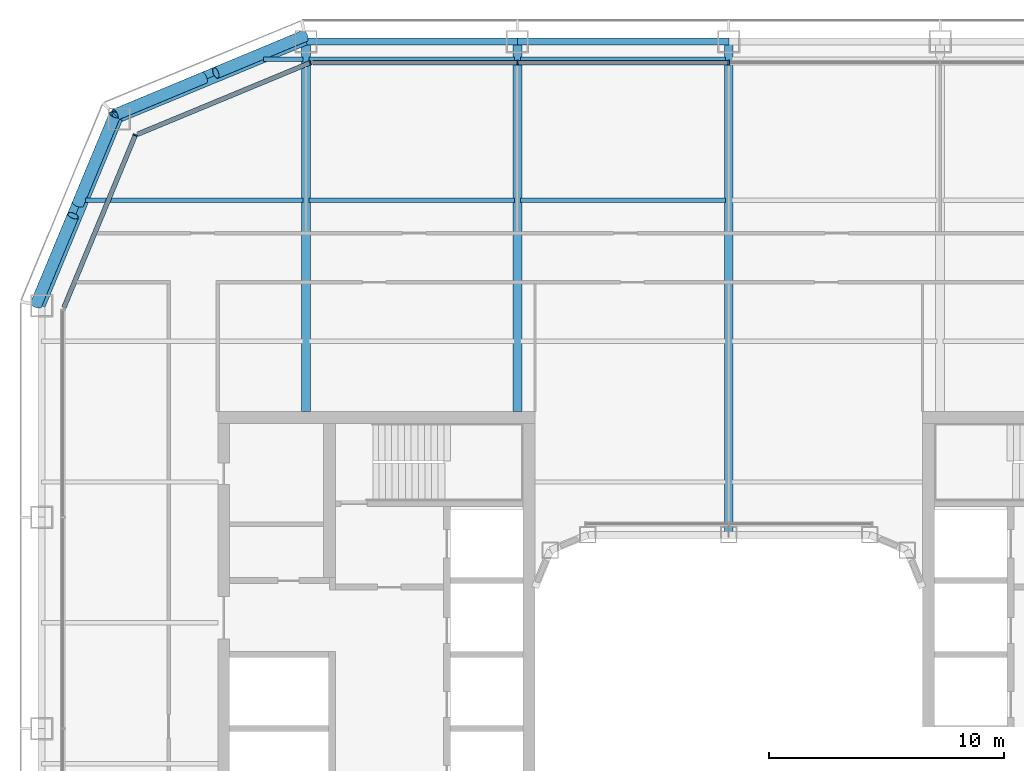
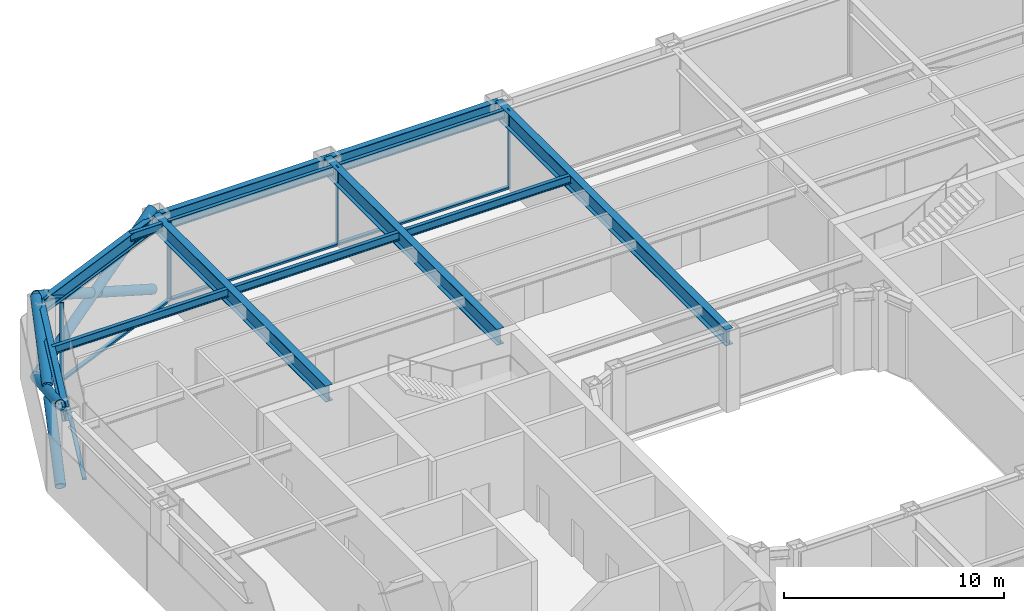
# One storey, part 7 of 21: 14 members, 13 beams, 3 elements without a shape of their own.
"""IFC4 building model written with IfcOpenShell, lengths in metres."""

from ifc_helpers import new_model, si_unit, direction, frame, origin, origin_2d, place, context, subcontext, project, spatial, rectangle, hollow_circle, i_section, extrude, material, layer, layer_set, material_profile, profile_set, type_object, element, aggregate, save


model = new_model("IFC4")

# Units and contexts
model_context = context("Model", 3, precision=1e-05, world=origin(), true_north=direction((0.0, 1.0)))
body_context = subcontext(model_context, "Body", "Model", "MODEL_VIEW")
ifc_project = project(units=[si_unit("LENGTHUNIT", "METRE"), si_unit("AREAUNIT", "SQUARE_METRE"), si_unit("VOLUMEUNIT", "CUBIC_METRE"), si_unit("PLANEANGLEUNIT", "RADIAN"), si_unit("MASSUNIT", "GRAM", prefix="KILO")], contexts=[model_context])

# Site, building, storey
site_placement = place(None, origin())
site = spatial("IfcSite", under=ifc_project, at=site_placement, CompositionType="ELEMENT")
building_placement = place(site_placement, origin())
building = spatial("IfcBuilding", under=site, at=building_placement, Name="Siwar Civic Tower", CompositionType="ELEMENT")
storey_placement = place(building_placement, frame((0.0, 0.0, 140.699951171875)))
storey = spatial("IfcBuildingStorey", under=building, at=storey_placement, Name="L30", CompositionType="ELEMENT", Elevation=140.699951171875)

# Curtain wall, members
ifc_material_1 = material(Name="Aluminium and glass", Category="aluminium")
ifc_layer_1 = layer(ifc_material_1, 0.199951171875)
ifc_layer_set_1 = layer_set([ifc_layer_1], Name="Aluminium and glass")
curtain_wall_type_1 = type_object("IfcCurtainWallType", Name="ENV-CW-B", PredefinedType="NOTDEFINED", material=ifc_layer_set_1)
curtain_wall_1_placement = place(storey_placement, origin())
curtain_wall_1 = element("IfcCurtainWall", 1, at=curtain_wall_1_placement, inside=storey, type_object=curtain_wall_type_1, Name="Curtain wall B N", PredefinedType="NOTDEFINED")
ifc_material_2 = material(Name="Aluminium 6063-T6", Category="aluminium")
ifc_material_profile_1 = material_profile(ifc_material_2, rectangle(XDim=0.199951171875, YDim=0.06494140625, at=origin_2d()), Name="AL 200x65")
ifc_profile_set_1 = profile_set([ifc_material_profile_1], Name="Aluminium 6063-T6")
member_type_1 = type_object("IfcMemberType", Name="ENV-MULLION-B", PredefinedType="MULLION", material=ifc_profile_set_1)
member_1_placement = place(storey_placement, frame((0.0, 28.35009765625, 0.0), z_axis=(0.0, 0.0, 1.0), x_axis=(0.0, -1.0, 0.0)))
member_1 = element("IfcMember", 2, at=member_1_placement, type_object=member_type_1, Name="Mullion B N 3", PredefinedType="MULLION", context=body_context, shape_type="SweptSolid", body=[
    extrude(rectangle(XDim=0.199951171875, YDim=0.06494140625, at=origin_2d()), origin(), (0.0, 0.0, 1.0), 4.35009765625),
])
member_2_placement = place(storey_placement, frame((-9.0, 28.35009765625, 0.0), z_axis=(0.0, 0.0, 1.0), x_axis=(0.0, -1.0, 0.0)))
member_2 = element("IfcMember", 3, at=member_2_placement, type_object=member_type_1, Name="Mullion B N 4", PredefinedType="MULLION", context=body_context, shape_type="SweptSolid", body=[
    extrude(rectangle(XDim=0.199951171875, YDim=0.06494140625, at=origin_2d()), origin(), (0.0, 0.0, 1.0), 4.35009765625),
])

# Curtain wall, member
ifc_material_3 = material(Name="Aluminium clad insulated panel", Category="aluminium")
ifc_layer_2 = layer(ifc_material_3, 0.199951171875)
ifc_layer_set_2 = layer_set([ifc_layer_2], Name="Aluminium clad insulated panel")
curtain_wall_type_2 = type_object("IfcCurtainWallType", Name="ENV-CW-BX", PredefinedType="NOTDEFINED", material=ifc_layer_set_2)
curtain_wall_2_placement = place(storey_placement, origin())
curtain_wall_2 = element("IfcCurtainWall", 4, at=curtain_wall_2_placement, inside=storey, type_object=curtain_wall_type_2, Name="Curtain wall B NW1", PredefinedType="NOTDEFINED")
member_3_placement = place(storey_placement, frame((-17.821044921875, 28.35009765625, 0.0), z_axis=(0.0, 0.0, 1.0), x_axis=(0.382683432365, -0.923879532511, 0.0)))
member_3 = element("IfcMember", 5, at=member_3_placement, type_object=member_type_1, Name="Mullion B NW1 1", PredefinedType="MULLION", context=body_context, shape_type="SweptSolid", body=[
    extrude(rectangle(XDim=0.199951171875, YDim=0.06494140625, at=origin_2d()), origin(), (0.0, 0.0, 1.0), 4.35009765625),
])

curtain_wall_3_placement = place(storey_placement, origin())
curtain_wall_3 = element("IfcCurtainWall", 6, at=curtain_wall_3_placement, inside=storey, type_object=curtain_wall_type_2, Name="Curtain wall B NW2", PredefinedType="NOTDEFINED")
member_4_placement = place(storey_placement, frame((-25.26611328125, 25.26611328125, 0.0), z_axis=(0.0, 0.0, 1.0), x_axis=(0.923879532511, -0.382683432365, 0.0)))
member_4 = element("IfcMember", 7, at=member_4_placement, type_object=member_type_1, Name="Mullion B NW2 1", PredefinedType="MULLION", context=body_context, shape_type="SweptSolid", body=[
    extrude(rectangle(XDim=0.199951171875, YDim=0.06494140625, at=origin_2d()), origin(), (0.0, 0.0, 1.0), 4.35009765625),
])

# Member
ifc_material_4 = material(Name="Aluminium 6063-T6", Category="aluminium")
ifc_material_profile_2 = material_profile(ifc_material_4, rectangle(XDim=0.199951171875, YDim=0.110107421875, at=origin_2d()), Name="AL 200x110")
ifc_profile_set_2 = profile_set([ifc_material_profile_2], Name="Aluminium 6063-T6")
member_type_2 = type_object("IfcMemberType", Name="ENV-TRANSOM-B", PredefinedType="USERDEFINED", material=ifc_profile_set_2)
member_5_placement = place(storey_placement, frame((-0.032470703125, 28.35009765625, 0.054931640625), z_axis=(-1.0, 0.0, 0.0), x_axis=(0.0, -1.0, 0.0)))
member_5 = element("IfcMember", 8, at=member_5_placement, type_object=member_type_2, Name="Transom B N 3", ObjectType="TRANSOM", PredefinedType="USERDEFINED", context=body_context, shape_type="SweptSolid", body=[
    extrude(rectangle(XDim=0.199951171875, YDim=0.110107421875, at=origin_2d()), origin(), (0.0, 0.0, 1.0), 8.93505859375),
])

member_6_placement = place(storey_placement, frame((-9.032470703125, 28.35009765625, 0.054931640625), z_axis=(-1.0, 0.0, 0.0), x_axis=(0.0, -1.0, 0.0)))
member_6 = element("IfcMember", 9, at=member_6_placement, type_object=member_type_2, Name="Transom B N 4", ObjectType="TRANSOM", PredefinedType="USERDEFINED", context=body_context, shape_type="SweptSolid", body=[
    extrude(rectangle(XDim=0.199951171875, YDim=0.110107421875, at=origin_2d()), origin(), (0.0, 0.0, 1.0), 8.6748046875),
])

aggregate(curtain_wall_1, [member_1, member_2, member_5, member_6])

member_7_placement = place(storey_placement, frame((-17.85107421875, 28.337646484375, 0.054931640625), z_axis=(-0.92387279587, -0.382699695651, 0.0), x_axis=(0.382699695651, -0.92387279587, 0.0)))
member_7 = element("IfcMember", 10, at=member_7_placement, type_object=member_type_2, Name="Transom B NW1 1", ObjectType="TRANSOM", PredefinedType="USERDEFINED", context=body_context, shape_type="SweptSolid", body=[
    extrude(rectangle(XDim=0.199951171875, YDim=0.110107421875, at=origin_2d()), origin(), (0.0, 0.0, 1.0), 7.912353515625),
])

aggregate(curtain_wall_2, [member_3, member_7])

member_8_placement = place(storey_placement, frame((-25.278564453125, 25.236083984375, 0.054931640625), z_axis=(-0.382673358825, -0.923883705044, 0.0), x_axis=(0.923883705044, -0.382673358825, 0.0)))
member_8 = element("IfcMember", 11, at=member_8_placement, type_object=member_type_2, Name="Transom B NW2 1", ObjectType="TRANSOM", PredefinedType="USERDEFINED", context=body_context, shape_type="SweptSolid", body=[
    extrude(rectangle(XDim=0.199951171875, YDim=0.110107421875, at=origin_2d()), origin(), (0.0, 0.0, 1.0), 7.912353515625),
])

aggregate(curtain_wall_3, [member_4, member_8])

# Members
ifc_material_5 = material(Name="Steel S355", Category="steel")
ifc_material_profile_3 = material_profile(ifc_material_5, hollow_circle(Radius=0.25390625, WallThickness=0.02490234375, at=origin_2d()), Name="CHS508x25")
ifc_profile_set_3 = profile_set([ifc_material_profile_3], Name="Steel S355")
member_type_3 = type_object("IfcMemberType", Name="STR-BR-CHS508x25", PredefinedType="BRACE", material=ifc_profile_set_3)
member_9_placement = place(storey_placement, frame((-26.1318359375, 26.1318359375, 0.0), z_axis=(-0.341671493852, -0.821142553604, 0.457149315816), x_axis=(0.923264922524, -0.384163874976, 0.0)))
element("IfcMember", 12, at=member_9_placement, inside=storey, type_object=member_type_3, Name="L30/brc/BNW1-9-0-1", PredefinedType="BRACE", context=body_context, shape_type="SweptSolid", body=[
    extrude(hollow_circle(Radius=0.25390625, WallThickness=0.02490234375, at=origin_2d()), origin(), (0.0, 0.0, 1.0), 9.843505859375),
])
for number, where, z_axis, x_axis, name in (
    (13, (-29.4951171875, 18.048828125, 0.0), (0.341677318012, 0.821126041429, 0.457174621391), (-0.923259859753, 0.384176042158, 0.0), "L30/brc/BNW1-9-0-2"),
    (14, (-27.70849609375, 22.342529296875, 2.390625), (0.341670737976, 0.821163134736, 0.457112910516), (-0.923268638995, 0.384154943021, 0.0), "L30/brc/BNW1-9-0-3"),
):
    element("IfcMember", number, at=place(storey_placement, frame(where, z_axis=z_axis, x_axis=x_axis)), inside=storey, type_object=member_type_3, Name=name, PredefinedType="BRACE", context=body_context, shape_type="SweptSolid", body=[
        extrude(hollow_circle(Radius=0.25390625, WallThickness=0.02490234375, at=origin_2d()), origin(), (0.0, 0.0, 1.0), 4.614501953125),
    ])
member_10_placement = place(storey_placement, frame((-26.1318359375, 26.1318359375, 0.0), z_axis=(0.821142553604, 0.341671493852, 0.457149315816), x_axis=(-0.384163874976, 0.923264922524, 0.0)))
element("IfcMember", 15, at=member_10_placement, inside=storey, type_object=member_type_3, Name="L30/brc/BNW1-9-0-0", PredefinedType="BRACE", context=body_context, shape_type="SweptSolid", body=[
    extrude(hollow_circle(Radius=0.25390625, WallThickness=0.02490234375, at=origin_2d()), origin(), (0.0, 0.0, 1.0), 9.843505859375),
])
for number, where, z_axis, x_axis, name in (
    (16, (-18.048828125, 29.4951171875, 0.0), (-0.821126041429, -0.341677318012, 0.457174621391), (0.384176042158, -0.923259859753, 0.0), "L30/brc/BNW1-9-0-4"),
    (17, (-22.342529296875, 27.70849609375, 2.390625), (-0.821163134736, -0.341670737976, 0.457112910516), (0.384154943021, -0.923268638995, 0.0), "L30/brc/BNW1-9-0-5"),
):
    element("IfcMember", number, at=place(storey_placement, frame(where, z_axis=z_axis, x_axis=x_axis)), inside=storey, type_object=member_type_3, Name=name, PredefinedType="BRACE", context=body_context, shape_type="SweptSolid", body=[
        extrude(hollow_circle(Radius=0.25390625, WallThickness=0.02490234375, at=origin_2d()), origin(), (0.0, 0.0, 1.0), 4.614501953125),
    ])

# Beams
ifc_material_6 = material(Name="Steel S355", Category="steel")
ifc_material_profile_4 = material_profile(ifc_material_6, i_section(OverallWidth=0.18994140625, OverallDepth=0.449951171875, WebThickness=0.009521484375, FlangeThickness=0.0146484375, FilletRadius=0.02099609375, at=origin_2d()), Name="IPE450")
ifc_profile_set_4 = profile_set([ifc_material_profile_4], Name="Steel S355")
beam_type_1 = type_object("IfcBeamType", Name="STR-FB-IPE450", PredefinedType="JOIST", material=ifc_profile_set_4)
beam_1_placement = place(storey_placement, frame((-27.385986328125, 22.5, 4.125), z_axis=(1.0, 0.0, 0.0), x_axis=(0.0, 1.0, 0.0)))
element("IfcBeam", 18, at=beam_1_placement, inside=storey, type_object=beam_type_1, Name="L30/bm/F037", PredefinedType="JOIST", context=body_context, shape_type="SweptSolid", body=[
    extrude(i_section(OverallWidth=0.18994140625, OverallDepth=0.449951171875, WebThickness=0.009521484375, FlangeThickness=0.0146484375, FilletRadius=0.02099609375, at=origin_2d()), origin(), (0.0, 0.0, 1.0), 9.256103515625),
])
for number, where, z_axis, x_axis, name in (
    (19, (-17.8701171875, 22.5, 4.125), (1.0, 0.0, 0.0), (0.0, 1.0, 0.0), "L30/bm/F038"),
    (20, (-8.8701171875, 22.5, 4.125), (1.0, 0.0, 0.0), (0.0, 1.0, 0.0), "L30/bm/F039"),
):
    element("IfcBeam", number, at=place(storey_placement, frame(where, z_axis=z_axis, x_axis=x_axis)), inside=storey, type_object=beam_type_1, Name=name, PredefinedType="JOIST", context=body_context, shape_type="SweptSolid", body=[
        extrude(i_section(OverallWidth=0.18994140625, OverallDepth=0.449951171875, WebThickness=0.009521484375, FlangeThickness=0.0146484375, FilletRadius=0.02099609375, at=origin_2d()), origin(), (0.0, 0.0, 1.0), 8.740234375),
    ])
beam_2_placement = place(storey_placement, frame((-19.810546875, 28.5, 4.125), z_axis=(1.0, 0.0, 0.0), x_axis=(0.0, 1.0, 0.0)))
element("IfcBeam", 21, at=beam_2_placement, inside=storey, type_object=beam_type_1, Name="L30/bm/F043", PredefinedType="JOIST", context=body_context, shape_type="SweptSolid", body=[
    extrude(i_section(OverallWidth=0.18994140625, OverallDepth=0.449951171875, WebThickness=0.009521484375, FlangeThickness=0.0146484375, FilletRadius=0.02099609375, at=origin_2d()), origin(), (0.0, 0.0, 1.0), 1.6806640625),
])
for number, where, z_axis, x_axis, name in (
    (22, (-17.8701171875, 28.5, 4.125), (1.0, 0.0, 0.0), (0.0, 1.0, 0.0), "L30/bm/F044"),
    (23, (-8.8701171875, 28.5, 4.125), (1.0, 0.0, 0.0), (0.0, 1.0, 0.0), "L30/bm/F045"),
):
    element("IfcBeam", number, at=place(storey_placement, frame(where, z_axis=z_axis, x_axis=x_axis)), inside=storey, type_object=beam_type_1, Name=name, PredefinedType="JOIST", context=body_context, shape_type="SweptSolid", body=[
        extrude(i_section(OverallWidth=0.18994140625, OverallDepth=0.449951171875, WebThickness=0.009521484375, FlangeThickness=0.0146484375, FilletRadius=0.02099609375, at=origin_2d()), origin(), (0.0, 0.0, 1.0), 8.740234375),
    ])
ifc_material_7 = material(Name="Steel S355", Category="steel")
ifc_material_profile_5 = material_profile(ifc_material_7, i_section(OverallWidth=0.3798828125, OverallDepth=0.89990234375, WebThickness=0.01611328125, FlangeThickness=0.035888671875, at=origin_2d()), Name="PG900x380x16x36")
ifc_profile_set_5 = profile_set([ifc_material_profile_5], Name="Steel S355")
beam_type_2 = type_object("IfcBeamType", Name="STR-PG-PG900x380x16x36", PredefinedType="BEAM", material=ifc_profile_set_5)
for number, where, z_axis, x_axis, name in (
    (24, (-18.0, 13.5, 3.900146484375), (0.0, 1.0, 0.0), (-1.0, 0.0, 0.0), "L30/bm/G02"),
    (25, (-9.0, 13.5, 3.900146484375), (0.0, 1.0, 0.0), (-1.0, 0.0, 0.0), "L30/bm/G04"),
):
    element("IfcBeam", number, at=place(storey_placement, frame(where, z_axis=z_axis, x_axis=x_axis)), inside=storey, type_object=beam_type_2, Name=name, PredefinedType="BEAM", context=body_context, shape_type="SweptSolid", body=[
        extrude(i_section(OverallWidth=0.3798828125, OverallDepth=0.89990234375, WebThickness=0.01611328125, FlangeThickness=0.035888671875, at=origin_2d()), origin(), (0.0, 0.0, 1.0), 15.75),
    ])
beam_3_placement = place(storey_placement, frame((0.0, 8.25, 3.900146484375), z_axis=(0.0, 1.0, 0.0), x_axis=(-1.0, 0.0, 0.0)))
element("IfcBeam", 26, at=beam_3_placement, inside=storey, type_object=beam_type_2, Name="L30/bm/G06", PredefinedType="BEAM", context=body_context, shape_type="SweptSolid", body=[
    extrude(i_section(OverallWidth=0.3798828125, OverallDepth=0.89990234375, WebThickness=0.01611328125, FlangeThickness=0.035888671875, at=origin_2d()), origin(), (0.0, 0.0, 1.0), 21.0),
])
ifc_material_8 = material(Name="Steel S355", Category="steel")
ifc_material_profile_6 = material_profile(ifc_material_8, i_section(OverallWidth=0.300048828125, OverallDepth=0.800048828125, WebThickness=0.017578125, FlangeThickness=0.032958984375, FilletRadius=0.030029296875, at=origin_2d()), Name="HEB800")
ifc_profile_set_6 = profile_set([ifc_material_profile_6], Name="Steel S355")
beam_type_3 = type_object("IfcBeamType", Name="STR-SB-HEB800", PredefinedType="BEAM", material=ifc_profile_set_6)
for number, where, z_axis, x_axis, name in (
    (27, (0.0, 29.25, 3.949951171875), (-1.0, 0.0, 0.0), (0.0, -1.0, 0.0), "L30/bm/SN-2"),
    (28, (-9.0, 29.25, 3.949951171875), (-1.0, 0.0, 0.0), (0.0, -1.0, 0.0), "L30/bm/SN-3"),
):
    element("IfcBeam", number, at=place(storey_placement, frame(where, z_axis=z_axis, x_axis=x_axis)), inside=storey, type_object=beam_type_3, Name=name, PredefinedType="BEAM", context=body_context, shape_type="SweptSolid", body=[
        extrude(i_section(OverallWidth=0.300048828125, OverallDepth=0.800048828125, WebThickness=0.017578125, FlangeThickness=0.032958984375, FilletRadius=0.030029296875, at=origin_2d()), origin(), (0.0, 0.0, 1.0), 9.0),
    ])
for number, where, z_axis, x_axis, name in (
    (29, (-18.0, 29.25, 3.949951171875), (-0.923872720536, -0.382699877515, 0.0), (0.382699877515, -0.923872720536, 0.0), "L30/bm/SNW1-0"),
    (30, (-25.954833984375, 25.954833984375, 3.949951171875), (-0.382699877515, -0.923872720536, 0.0), (0.923872720536, -0.382699877515, 0.0), "L30/bm/SNW2-0"),
):
    element("IfcBeam", number, at=place(storey_placement, frame(where, z_axis=z_axis, x_axis=x_axis)), inside=storey, type_object=beam_type_3, Name=name, PredefinedType="BEAM", context=body_context, shape_type="SweptSolid", body=[
        extrude(i_section(OverallWidth=0.300048828125, OverallDepth=0.800048828125, WebThickness=0.017578125, FlangeThickness=0.032958984375, FilletRadius=0.030029296875, at=origin_2d()), origin(), (0.0, 0.0, 1.0), 8.6103515625),
    ])

save(model, "model.ifc")
